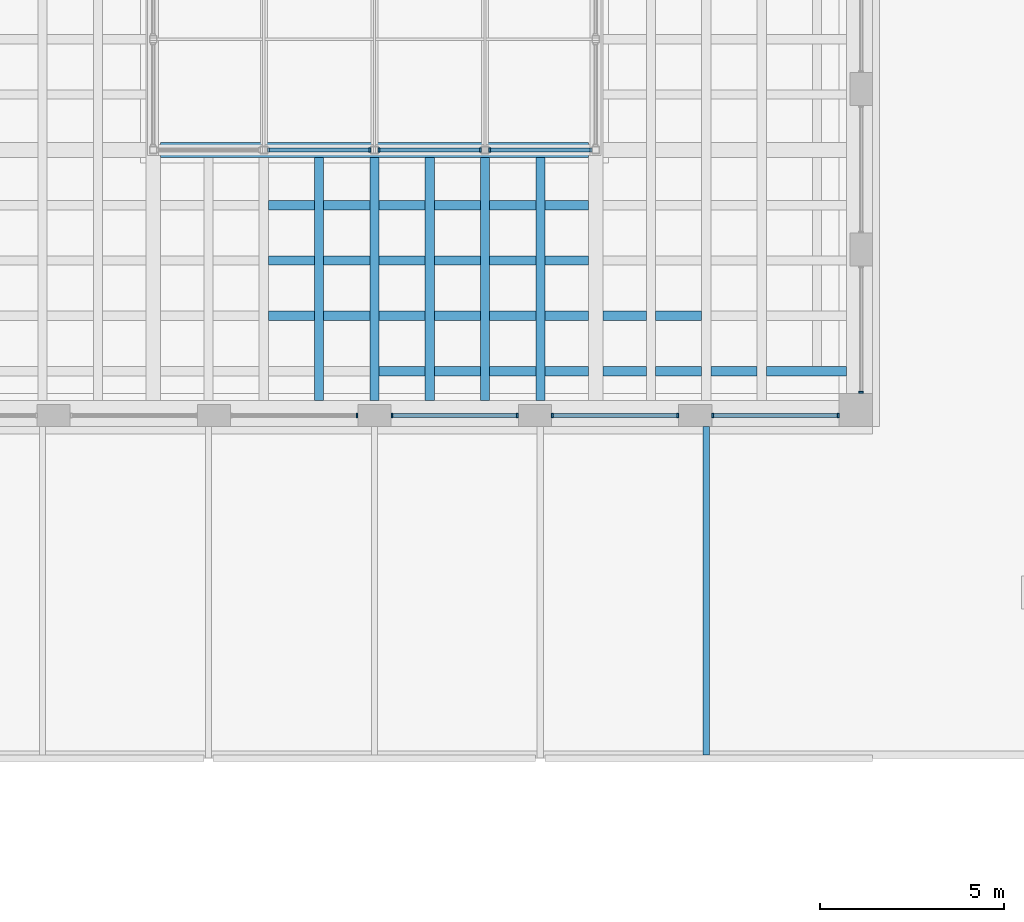
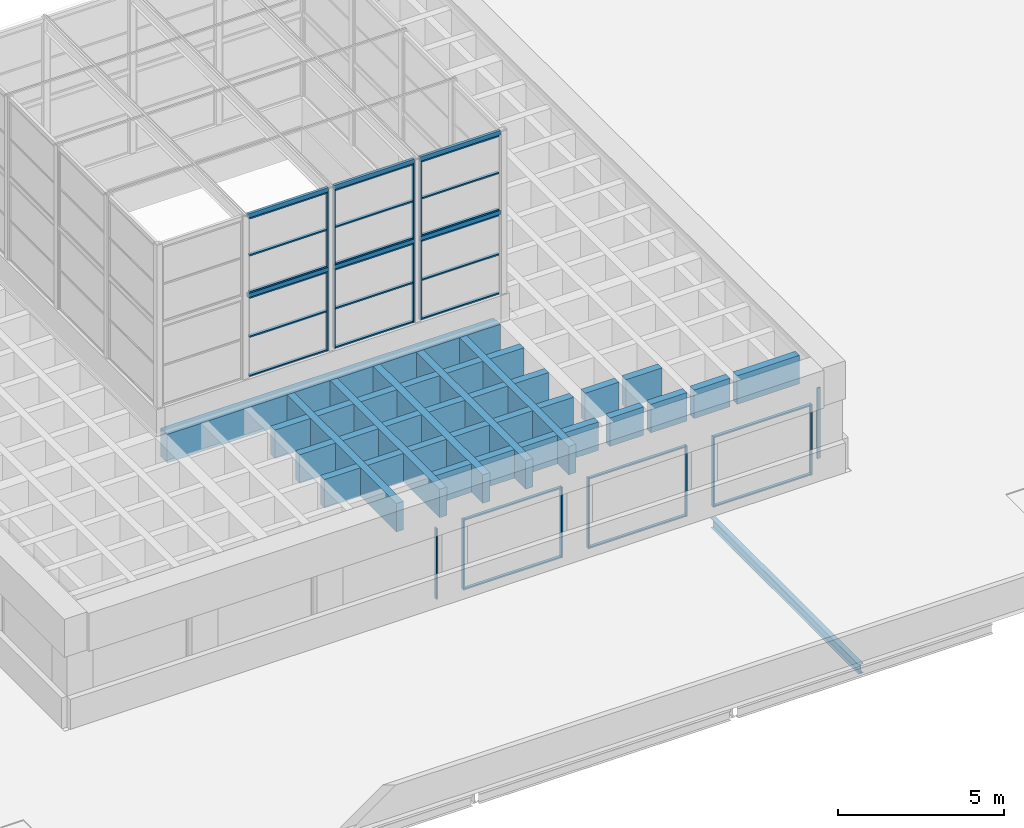
# One storey, part 28 of 50: 41 beams, 40 members, 11 elements without a shape of their own.
"""IFC4 building model written with IfcOpenShell, lengths in metres."""

from ifc_helpers import new_model, si_unit, direction, frame, origin, origin_2d, place, context, subcontext, project, spatial, rectangle, hollow_rectangle, i_section, extrude, material, layer, layer_set, material_profile, profile_set, type_object, element, aggregate, save


model = new_model("IFC4")

# Units and contexts
model_context = context("Model", 3, precision=1e-05, world=origin(), true_north=direction((0.0, 1.0)))
body_context = subcontext(model_context, "Body", "Model", "MODEL_VIEW")
ifc_project = project(units=[si_unit("LENGTHUNIT", "METRE"), si_unit("AREAUNIT", "SQUARE_METRE"), si_unit("VOLUMEUNIT", "CUBIC_METRE"), si_unit("PLANEANGLEUNIT", "RADIAN"), si_unit("MASSUNIT", "GRAM", prefix="KILO")], contexts=[model_context])

# Site, building, storey
site_placement = place(None, origin())
site = spatial("IfcSite", under=ifc_project, at=site_placement, CompositionType="ELEMENT")
building_placement = place(site_placement, origin())
building = spatial("IfcBuilding", under=site, at=building_placement, Name="Corbel Yard City Hall", CompositionType="ELEMENT")
storey_placement = place(building_placement, frame((0.0, 0.0, 15.0)))
storey = spatial("IfcBuildingStorey", under=building, at=storey_placement, Name="L03", CompositionType="ELEMENT", Elevation=15.0)

# Beams
ifc_material_1 = material(Name="Concrete N50 (50 MPa)", Category="concrete")
ifc_material_profile_1 = material_profile(ifc_material_1, rectangle(XDim=0.25, YDim=1.050048828125, at=origin_2d()), Name="250x1050")
ifc_profile_set_1 = profile_set([ifc_material_profile_1], Name="Concrete N50 (50 MPa)")
beam_type_1 = type_object("IfcBeamType", Name="Coffer bay rib RC 250X1050", PredefinedType="T_BEAM", material=ifc_profile_set_1)
for number, where, z_axis, x_axis, name in (
    (1, (129.0, 54.699951171875, 3.125), (0.0, 1.0, 0.0), (-1.0, 0.0, 0.0), "Coffer bay rib RB5"),
    (2, (130.5, 54.699951171875, 3.125), (0.0, 1.0, 0.0), (-1.0, 0.0, 0.0), "Coffer bay rib RB5"),
    (3, (132.0, 54.699951171875, 3.125), (0.0, 1.0, 0.0), (-1.0, 0.0, 0.0), "Coffer bay rib RB5"),
    (4, (133.5, 54.699951171875, 3.125), (0.0, 1.0, 0.0), (-1.0, 0.0, 0.0), "Coffer bay rib RB5"),
    (5, (135.0, 54.699951171875, 3.125), (0.0, 1.0, 0.0), (-1.0, 0.0, 0.0), "Coffer bay rib RB5"),
):
    element("IfcBeam", number, at=place(storey_placement, frame(where, z_axis=z_axis, x_axis=x_axis)), inside=storey, type_object=beam_type_1, Name=name, PredefinedType="T_BEAM", context=body_context, shape_type="SweptSolid", body=[
        extrude(rectangle(XDim=0.25, YDim=1.050048828125, at=origin_2d()), origin(), (0.0, 0.0, 1.0), 6.60009765625),
    ])
ifc_material_profile_2 = material_profile(ifc_material_1, rectangle(XDim=0.25, YDim=1.050048828125, at=origin_2d()), Name="250x1050")
ifc_profile_set_2 = profile_set([ifc_material_profile_2], Name="Concrete N50 (50 MPa)")
beam_type_2 = type_object("IfcBeamType", Name="Coffer cross rib RC 250X1050", PredefinedType="T_BEAM", material=ifc_profile_set_2)
for number, where, z_axis, x_axis, name in (
    (6, (130.625, 55.5, 3.125), (1.0, 0.0, 0.0), (0.0, 1.0, 0.0), "Coffer cross rib RB3"),
    (7, (132.125, 55.5, 3.125), (1.0, 0.0, 0.0), (0.0, 1.0, 0.0), "Coffer cross rib RB3"),
    (8, (133.625, 55.5, 3.125), (1.0, 0.0, 0.0), (0.0, 1.0, 0.0), "Coffer cross rib RB3"),
):
    element("IfcBeam", number, at=place(storey_placement, frame(where, z_axis=z_axis, x_axis=x_axis)), inside=storey, type_object=beam_type_2, Name=name, PredefinedType="T_BEAM", context=body_context, shape_type="SweptSolid", body=[
        extrude(rectangle(XDim=0.25, YDim=1.050048828125, at=origin_2d()), origin(), (0.0, 0.0, 1.0), 1.25),
    ])
for number, where, z_axis, x_axis, name in (
    (9, (135.125, 55.5, 3.125), (1.0, 0.0, 0.0), (0.0, 1.0, 0.0), "Coffer cross rib RB3"),
    (10, (136.699951171875, 55.5, 3.125), (1.0, 0.0, 0.0), (0.0, 1.0, 0.0), "Coffer cross rib RB3"),
):
    element("IfcBeam", number, at=place(storey_placement, frame(where, z_axis=z_axis, x_axis=x_axis)), inside=storey, type_object=beam_type_2, Name=name, PredefinedType="T_BEAM", context=body_context, shape_type="SweptSolid", body=[
        extrude(rectangle(XDim=0.25, YDim=1.050048828125, at=origin_2d()), origin(), (0.0, 0.0, 1.0), 1.175048828125),
    ])
for number, where, z_axis, x_axis, name in (
    (11, (138.125, 55.5, 3.125), (1.0, 0.0, 0.0), (0.0, 1.0, 0.0), "Coffer cross rib RB3"),
    (12, (139.625, 55.5, 3.125), (1.0, 0.0, 0.0), (0.0, 1.0, 0.0), "Coffer cross rib RB3"),
):
    element("IfcBeam", number, at=place(storey_placement, frame(where, z_axis=z_axis, x_axis=x_axis)), inside=storey, type_object=beam_type_2, Name=name, PredefinedType="T_BEAM", context=body_context, shape_type="SweptSolid", body=[
        extrude(rectangle(XDim=0.25, YDim=1.050048828125, at=origin_2d()), origin(), (0.0, 0.0, 1.0), 1.25),
    ])
beam_1_placement = place(storey_placement, frame((141.125, 55.5, 3.125), z_axis=(1.0, 0.0, 0.0), x_axis=(0.0, 1.0, 0.0)))
element("IfcBeam", 13, at=beam_1_placement, inside=storey, type_object=beam_type_2, Name="Coffer cross rib RB3", PredefinedType="T_BEAM", context=body_context, shape_type="SweptSolid", body=[
    extrude(rectangle(XDim=0.25, YDim=1.050048828125, at=origin_2d()), origin(), (0.0, 0.0, 1.0), 2.175048828125),
])
for number, where, z_axis, x_axis, name in (
    (14, (127.625, 57.0, 3.125), (1.0, 0.0, 0.0), (0.0, 1.0, 0.0), "Coffer cross rib RB3"),
    (15, (129.125, 57.0, 3.125), (1.0, 0.0, 0.0), (0.0, 1.0, 0.0), "Coffer cross rib RB3"),
    (16, (130.625, 57.0, 3.125), (1.0, 0.0, 0.0), (0.0, 1.0, 0.0), "Coffer cross rib RB3"),
    (17, (132.125, 57.0, 3.125), (1.0, 0.0, 0.0), (0.0, 1.0, 0.0), "Coffer cross rib RB3"),
    (18, (133.625, 57.0, 3.125), (1.0, 0.0, 0.0), (0.0, 1.0, 0.0), "Coffer cross rib RB3"),
):
    element("IfcBeam", number, at=place(storey_placement, frame(where, z_axis=z_axis, x_axis=x_axis)), inside=storey, type_object=beam_type_2, Name=name, PredefinedType="T_BEAM", context=body_context, shape_type="SweptSolid", body=[
        extrude(rectangle(XDim=0.25, YDim=1.050048828125, at=origin_2d()), origin(), (0.0, 0.0, 1.0), 1.25),
    ])
for number, where, z_axis, x_axis, name in (
    (19, (135.125, 57.0, 3.125), (1.0, 0.0, 0.0), (0.0, 1.0, 0.0), "Coffer cross rib RB3"),
    (20, (136.699951171875, 57.0, 3.125), (1.0, 0.0, 0.0), (0.0, 1.0, 0.0), "Coffer cross rib RB3"),
):
    element("IfcBeam", number, at=place(storey_placement, frame(where, z_axis=z_axis, x_axis=x_axis)), inside=storey, type_object=beam_type_2, Name=name, PredefinedType="T_BEAM", context=body_context, shape_type="SweptSolid", body=[
        extrude(rectangle(XDim=0.25, YDim=1.050048828125, at=origin_2d()), origin(), (0.0, 0.0, 1.0), 1.175048828125),
    ])
for number, where, z_axis, x_axis, name in (
    (21, (138.125, 57.0, 3.125), (1.0, 0.0, 0.0), (0.0, 1.0, 0.0), "Coffer cross rib RB3"),
    (22, (127.625, 58.5, 3.125), (1.0, 0.0, 0.0), (0.0, 1.0, 0.0), "Coffer cross rib RB3"),
    (23, (129.125, 58.5, 3.125), (1.0, 0.0, 0.0), (0.0, 1.0, 0.0), "Coffer cross rib RB3"),
    (24, (130.625, 58.5, 3.125), (1.0, 0.0, 0.0), (0.0, 1.0, 0.0), "Coffer cross rib RB3"),
    (25, (132.125, 58.5, 3.125), (1.0, 0.0, 0.0), (0.0, 1.0, 0.0), "Coffer cross rib RB3"),
    (26, (133.625, 58.5, 3.125), (1.0, 0.0, 0.0), (0.0, 1.0, 0.0), "Coffer cross rib RB3"),
):
    element("IfcBeam", number, at=place(storey_placement, frame(where, z_axis=z_axis, x_axis=x_axis)), inside=storey, type_object=beam_type_2, Name=name, PredefinedType="T_BEAM", context=body_context, shape_type="SweptSolid", body=[
        extrude(rectangle(XDim=0.25, YDim=1.050048828125, at=origin_2d()), origin(), (0.0, 0.0, 1.0), 1.25),
    ])
beam_2_placement = place(storey_placement, frame((135.125, 58.5, 3.125), z_axis=(1.0, 0.0, 0.0), x_axis=(0.0, 1.0, 0.0)))
element("IfcBeam", 27, at=beam_2_placement, inside=storey, type_object=beam_type_2, Name="Coffer cross rib RB3", PredefinedType="T_BEAM", context=body_context, shape_type="SweptSolid", body=[
    extrude(rectangle(XDim=0.25, YDim=1.050048828125, at=origin_2d()), origin(), (0.0, 0.0, 1.0), 1.175048828125),
])
for number, where, z_axis, x_axis, name in (
    (28, (127.625, 60.0, 3.125), (1.0, 0.0, 0.0), (0.0, 1.0, 0.0), "Coffer cross rib RB3"),
    (29, (129.125, 60.0, 3.125), (1.0, 0.0, 0.0), (0.0, 1.0, 0.0), "Coffer cross rib RB3"),
    (30, (130.625, 60.0, 3.125), (1.0, 0.0, 0.0), (0.0, 1.0, 0.0), "Coffer cross rib RB3"),
    (31, (132.125, 60.0, 3.125), (1.0, 0.0, 0.0), (0.0, 1.0, 0.0), "Coffer cross rib RB3"),
    (32, (133.625, 60.0, 3.125), (1.0, 0.0, 0.0), (0.0, 1.0, 0.0), "Coffer cross rib RB3"),
):
    element("IfcBeam", number, at=place(storey_placement, frame(where, z_axis=z_axis, x_axis=x_axis)), inside=storey, type_object=beam_type_2, Name=name, PredefinedType="T_BEAM", context=body_context, shape_type="SweptSolid", body=[
        extrude(rectangle(XDim=0.25, YDim=1.050048828125, at=origin_2d()), origin(), (0.0, 0.0, 1.0), 1.25),
    ])
beam_3_placement = place(storey_placement, frame((135.125, 60.0, 3.125), z_axis=(1.0, 0.0, 0.0), x_axis=(0.0, 1.0, 0.0)))
element("IfcBeam", 33, at=beam_3_placement, inside=storey, type_object=beam_type_2, Name="Coffer cross rib RB3", PredefinedType="T_BEAM", context=body_context, shape_type="SweptSolid", body=[
    extrude(rectangle(XDim=0.25, YDim=1.050048828125, at=origin_2d()), origin(), (0.0, 0.0, 1.0), 1.175048828125),
])
ifc_material_2 = material(Name="Steel Grade C450L0", Category="steel")
ifc_material_profile_3 = material_profile(ifc_material_2, hollow_rectangle(XDim=0.10009765625, YDim=0.14990234375, WallThickness=0.006103515625, at=origin_2d()), Name="150x100x6.0RHS")
ifc_profile_set_3 = profile_set([ifc_material_profile_3], Name="Steel Grade C450L0")
beam_type_3 = type_object("IfcBeamType", Name="Lantern frame beam 150x100x6.0RHS", PredefinedType="BEAM", material=ifc_profile_set_3)
for number, where, z_axis, x_axis, name in (
    (34, (127.60009765625, 61.5, 10.574951171875), (1.0, 0.0, 0.0), (0.0, 1.0, 0.0), "Lantern frame beam 150x100x6.0RHS SB22"),
    (35, (130.60009765625, 61.5, 10.574951171875), (1.0, 0.0, 0.0), (0.0, 1.0, 0.0), "Lantern frame beam 150x100x6.0RHS SB22"),
    (36, (133.60009765625, 61.5, 10.574951171875), (1.0, 0.0, 0.0), (0.0, 1.0, 0.0), "Lantern frame beam 150x100x6.0RHS SB22"),
    (37, (127.60009765625, 61.5, 7.64990234375), (1.0, 0.0, 0.0), (0.0, 1.0, 0.0), "Lantern frame beam 150x100x6.0RHS SB22"),
    (38, (130.60009765625, 61.5, 7.64990234375), (1.0, 0.0, 0.0), (0.0, 1.0, 0.0), "Lantern frame beam 150x100x6.0RHS SB22"),
    (39, (133.60009765625, 61.5, 7.64990234375), (1.0, 0.0, 0.0), (0.0, 1.0, 0.0), "Lantern frame beam 150x100x6.0RHS SB22"),
):
    element("IfcBeam", number, at=place(storey_placement, frame(where, z_axis=z_axis, x_axis=x_axis)), inside=storey, type_object=beam_type_3, Name=name, PredefinedType="BEAM", context=body_context, shape_type="SweptSolid", body=[
        extrude(hollow_rectangle(XDim=0.10009765625, YDim=0.14990234375, WallThickness=0.006103515625, at=origin_2d()), origin(), (0.0, 0.0, 1.0), 2.7998046875),
    ])
ifc_material_profile_4 = material_profile(ifc_material_1, rectangle(XDim=0.39990234375, YDim=1.050048828125, at=origin_2d()), Name="400x1050")
ifc_profile_set_4 = profile_set([ifc_material_profile_4], Name="Concrete N50 (50 MPa)")
beam_type_4 = type_object("IfcBeamType", Name="Lantern trimmer bay rib RC 400X1050", PredefinedType="BEAM", material=ifc_profile_set_4)
beam_4_placement = place(storey_placement, frame((124.699951171875, 61.5, 3.125), z_axis=(1.0, 0.0, 0.0), x_axis=(0.0, 1.0, 0.0)))
element("IfcBeam", 40, at=beam_4_placement, inside=storey, type_object=beam_type_4, Name="Lantern trimmer bay rib RB6", PredefinedType="BEAM", context=body_context, shape_type="SweptSolid", body=[
    extrude(rectangle(XDim=0.39990234375, YDim=1.050048828125, at=origin_2d()), origin(), (0.0, 0.0, 1.0), 11.60009765625),
])

# Curtain wall, member
ifc_material_3 = material(Name="Aluminium extrusion", Category="aluminium")
ifc_layer = layer(ifc_material_3, 0.1201171875)
ifc_layer_set = layer_set([ifc_layer], Name="Aluminium extrusion")
curtain_wall_type = type_object("IfcCurtainWallType", Name="CW3", PredefinedType="USERDEFINED", material=ifc_layer_set)
curtain_wall_1_placement = place(storey_placement, origin())
curtain_wall_1 = element("IfcCurtainWall", 41, at=curtain_wall_1_placement, inside=storey, type_object=curtain_wall_type, Name="Lantern glazing", ObjectType="CURTAIN WALL", PredefinedType="USERDEFINED")
ifc_material_profile_5 = material_profile(ifc_material_3, rectangle(XDim=0.1201171875, YDim=0.050048828125, at=origin_2d()), Name="120x50")
ifc_profile_set_5 = profile_set([ifc_material_profile_5], Name="Aluminium extrusion")
member_type_1 = type_object("IfcMemberType", Name="ML3", PredefinedType="MULLION", material=ifc_profile_set_5)
member_1_placement = place(storey_placement, frame((130.375, 61.5, 4.64990234375), z_axis=(0.0, 0.0, 1.0), x_axis=(0.0, 1.0, 0.0)))
member_1 = element("IfcMember", 42, at=member_1_placement, type_object=member_type_1, Name="CW3 mullion 2", PredefinedType="MULLION", context=body_context, shape_type="SweptSolid", body=[
    extrude(rectangle(XDim=0.1201171875, YDim=0.050048828125, at=origin_2d()), origin(), (0.0, 0.0, 1.0), 2.925048828125),
])

# Curtain wall, members
curtain_wall_2_placement = place(storey_placement, origin())
curtain_wall_2 = element("IfcCurtainWall", 43, at=curtain_wall_2_placement, inside=storey, type_object=curtain_wall_type, Name="Lantern glazing", ObjectType="CURTAIN WALL", PredefinedType="USERDEFINED")
member_2_placement = place(storey_placement, frame((130.625, 61.5, 4.64990234375), z_axis=(0.0, 0.0, 1.0), x_axis=(0.0, 1.0, 0.0)))
member_2 = element("IfcMember", 44, at=member_2_placement, type_object=member_type_1, Name="CW3 mullion 1", PredefinedType="MULLION", context=body_context, shape_type="SweptSolid", body=[
    extrude(rectangle(XDim=0.1201171875, YDim=0.050048828125, at=origin_2d()), origin(), (0.0, 0.0, 1.0), 2.925048828125),
])
member_3_placement = place(storey_placement, frame((133.375, 61.5, 4.64990234375), z_axis=(0.0, 0.0, 1.0), x_axis=(0.0, 1.0, 0.0)))
member_3 = element("IfcMember", 45, at=member_3_placement, type_object=member_type_1, Name="CW3 mullion 2", PredefinedType="MULLION", context=body_context, shape_type="SweptSolid", body=[
    extrude(rectangle(XDim=0.1201171875, YDim=0.050048828125, at=origin_2d()), origin(), (0.0, 0.0, 1.0), 2.925048828125),
])

# Curtain wall, member
curtain_wall_3_placement = place(storey_placement, origin())
curtain_wall_3 = element("IfcCurtainWall", 46, at=curtain_wall_3_placement, inside=storey, type_object=curtain_wall_type, Name="Lantern glazing", ObjectType="CURTAIN WALL", PredefinedType="USERDEFINED")
member_4_placement = place(storey_placement, frame((133.625, 61.5, 4.64990234375), z_axis=(0.0, 0.0, 1.0), x_axis=(0.0, 1.0, 0.0)))
member_4 = element("IfcMember", 47, at=member_4_placement, type_object=member_type_1, Name="CW3 mullion 1", PredefinedType="MULLION", context=body_context, shape_type="SweptSolid", body=[
    extrude(rectangle(XDim=0.1201171875, YDim=0.050048828125, at=origin_2d()), origin(), (0.0, 0.0, 1.0), 2.925048828125),
])

curtain_wall_4_placement = place(storey_placement, origin())
curtain_wall_4 = element("IfcCurtainWall", 48, at=curtain_wall_4_placement, inside=storey, type_object=curtain_wall_type, Name="Lantern glazing", ObjectType="CURTAIN WALL", PredefinedType="USERDEFINED")
member_5_placement = place(storey_placement, frame((130.375, 61.5, 7.72509765625), z_axis=(0.0, 0.0, 1.0), x_axis=(0.0, 1.0, 0.0)))
member_5 = element("IfcMember", 49, at=member_5_placement, type_object=member_type_1, Name="CW3 mullion 2", PredefinedType="MULLION", context=body_context, shape_type="SweptSolid", body=[
    extrude(rectangle(XDim=0.1201171875, YDim=0.050048828125, at=origin_2d()), origin(), (0.0, 0.0, 1.0), 2.77490234375),
])

# Curtain wall, members
curtain_wall_5_placement = place(storey_placement, origin())
curtain_wall_5 = element("IfcCurtainWall", 50, at=curtain_wall_5_placement, inside=storey, type_object=curtain_wall_type, Name="Lantern glazing", ObjectType="CURTAIN WALL", PredefinedType="USERDEFINED")
member_6_placement = place(storey_placement, frame((130.625, 61.5, 7.72509765625), z_axis=(0.0, 0.0, 1.0), x_axis=(0.0, 1.0, 0.0)))
member_6 = element("IfcMember", 51, at=member_6_placement, type_object=member_type_1, Name="CW3 mullion 1", PredefinedType="MULLION", context=body_context, shape_type="SweptSolid", body=[
    extrude(rectangle(XDim=0.1201171875, YDim=0.050048828125, at=origin_2d()), origin(), (0.0, 0.0, 1.0), 2.77490234375),
])
member_7_placement = place(storey_placement, frame((133.375, 61.5, 7.72509765625), z_axis=(0.0, 0.0, 1.0), x_axis=(0.0, 1.0, 0.0)))
member_7 = element("IfcMember", 52, at=member_7_placement, type_object=member_type_1, Name="CW3 mullion 2", PredefinedType="MULLION", context=body_context, shape_type="SweptSolid", body=[
    extrude(rectangle(XDim=0.1201171875, YDim=0.050048828125, at=origin_2d()), origin(), (0.0, 0.0, 1.0), 2.77490234375),
])

# Curtain wall, member
curtain_wall_6_placement = place(storey_placement, origin())
curtain_wall_6 = element("IfcCurtainWall", 53, at=curtain_wall_6_placement, inside=storey, type_object=curtain_wall_type, Name="Lantern glazing", ObjectType="CURTAIN WALL", PredefinedType="USERDEFINED")
member_8_placement = place(storey_placement, frame((133.625, 61.5, 7.72509765625), z_axis=(0.0, 0.0, 1.0), x_axis=(0.0, 1.0, 0.0)))
member_8 = element("IfcMember", 54, at=member_8_placement, type_object=member_type_1, Name="CW3 mullion 1", PredefinedType="MULLION", context=body_context, shape_type="SweptSolid", body=[
    extrude(rectangle(XDim=0.1201171875, YDim=0.050048828125, at=origin_2d()), origin(), (0.0, 0.0, 1.0), 2.77490234375),
])

curtain_wall_7_placement = place(storey_placement, origin())
curtain_wall_7 = element("IfcCurtainWall", 55, at=curtain_wall_7_placement, inside=storey, type_object=curtain_wall_type, Name="Chamber clerestory glazing", ObjectType="CURTAIN WALL", PredefinedType="USERDEFINED")
member_9_placement = place(storey_placement, frame((130.02490234375, 54.300048828125, 0.0), z_axis=(0.0, 0.0, 1.0), x_axis=(0.0, 1.0, 0.0)))
member_9 = element("IfcMember", 56, at=member_9_placement, type_object=member_type_1, Name="CW3 mullion 2", PredefinedType="MULLION", context=body_context, shape_type="SweptSolid", body=[
    extrude(rectangle(XDim=0.1201171875, YDim=0.050048828125, at=origin_2d()), origin(), (0.0, 0.0, 1.0), 2.60009765625),
])
aggregate(curtain_wall_7, [member_9])

# Curtain wall, members
curtain_wall_8_placement = place(storey_placement, origin())
curtain_wall_8 = element("IfcCurtainWall", 57, at=curtain_wall_8_placement, inside=storey, type_object=curtain_wall_type, Name="Chamber clerestory glazing", ObjectType="CURTAIN WALL", PredefinedType="USERDEFINED")
member_10_placement = place(storey_placement, frame((130.97509765625, 54.300048828125, 0.0), z_axis=(0.0, 0.0, 1.0), x_axis=(0.0, 1.0, 0.0)))
member_10 = element("IfcMember", 58, at=member_10_placement, type_object=member_type_1, Name="CW3 mullion 1", PredefinedType="MULLION", context=body_context, shape_type="SweptSolid", body=[
    extrude(rectangle(XDim=0.1201171875, YDim=0.050048828125, at=origin_2d()), origin(), (0.0, 0.0, 1.0), 2.60009765625),
])
member_11_placement = place(storey_placement, frame((134.375, 54.300048828125, 0.0), z_axis=(0.0, 0.0, 1.0), x_axis=(0.0, 1.0, 0.0)))
member_11 = element("IfcMember", 59, at=member_11_placement, type_object=member_type_1, Name="CW3 mullion 2", PredefinedType="MULLION", context=body_context, shape_type="SweptSolid", body=[
    extrude(rectangle(XDim=0.1201171875, YDim=0.050048828125, at=origin_2d()), origin(), (0.0, 0.0, 1.0), 2.60009765625),
])

curtain_wall_9_placement = place(storey_placement, origin())
curtain_wall_9 = element("IfcCurtainWall", 60, at=curtain_wall_9_placement, inside=storey, type_object=curtain_wall_type, Name="Chamber clerestory glazing", ObjectType="CURTAIN WALL", PredefinedType="USERDEFINED")
member_12_placement = place(storey_placement, frame((135.324951171875, 54.300048828125, 0.0), z_axis=(0.0, 0.0, 1.0), x_axis=(0.0, 1.0, 0.0)))
member_12 = element("IfcMember", 61, at=member_12_placement, type_object=member_type_1, Name="CW3 mullion 1", PredefinedType="MULLION", context=body_context, shape_type="SweptSolid", body=[
    extrude(rectangle(XDim=0.1201171875, YDim=0.050048828125, at=origin_2d()), origin(), (0.0, 0.0, 1.0), 2.60009765625),
])
member_13_placement = place(storey_placement, frame((138.72509765625, 54.300048828125, 0.0), z_axis=(0.0, 0.0, 1.0), x_axis=(0.0, 1.0, 0.0)))
member_13 = element("IfcMember", 62, at=member_13_placement, type_object=member_type_1, Name="CW3 mullion 2", PredefinedType="MULLION", context=body_context, shape_type="SweptSolid", body=[
    extrude(rectangle(XDim=0.1201171875, YDim=0.050048828125, at=origin_2d()), origin(), (0.0, 0.0, 1.0), 2.60009765625),
])

curtain_wall_10_placement = place(storey_placement, origin())
curtain_wall_10 = element("IfcCurtainWall", 63, at=curtain_wall_10_placement, inside=storey, type_object=curtain_wall_type, Name="Chamber clerestory glazing", ObjectType="CURTAIN WALL", PredefinedType="USERDEFINED")
member_14_placement = place(storey_placement, frame((139.675048828125, 54.300048828125, 0.0), z_axis=(0.0, 0.0, 1.0), x_axis=(0.0, 1.0, 0.0)))
member_14 = element("IfcMember", 64, at=member_14_placement, type_object=member_type_1, Name="CW3 mullion 1", PredefinedType="MULLION", context=body_context, shape_type="SweptSolid", body=[
    extrude(rectangle(XDim=0.1201171875, YDim=0.050048828125, at=origin_2d()), origin(), (0.0, 0.0, 1.0), 2.60009765625),
])
member_15_placement = place(storey_placement, frame((143.074951171875, 54.300048828125, 0.0), z_axis=(0.0, 0.0, 1.0), x_axis=(0.0, 1.0, 0.0)))
member_15 = element("IfcMember", 65, at=member_15_placement, type_object=member_type_1, Name="CW3 mullion 2", PredefinedType="MULLION", context=body_context, shape_type="SweptSolid", body=[
    extrude(rectangle(XDim=0.1201171875, YDim=0.050048828125, at=origin_2d()), origin(), (0.0, 0.0, 1.0), 2.60009765625),
])

# Curtain wall, member
curtain_wall_11_placement = place(storey_placement, origin())
curtain_wall_11 = element("IfcCurtainWall", 66, at=curtain_wall_11_placement, inside=storey, type_object=curtain_wall_type, Name="Chamber clerestory glazing", ObjectType="CURTAIN WALL", PredefinedType="USERDEFINED")
member_16_placement = place(storey_placement, frame((143.699951171875, 54.925048828125, 0.0), z_axis=(0.0, 0.0, 1.0), x_axis=(-1.0, 0.0, 0.0)))
member_16 = element("IfcMember", 67, at=member_16_placement, type_object=member_type_1, Name="CW3 mullion 1", PredefinedType="MULLION", context=body_context, shape_type="SweptSolid", body=[
    extrude(rectangle(XDim=0.1201171875, YDim=0.050048828125, at=origin_2d()), origin(), (0.0, 0.0, 1.0), 2.60009765625),
])
aggregate(curtain_wall_11, [member_16])

# Beam
ifc_material_4 = material(Name="Steel Grade 300 (300 MPa yield)", Category="steel")
ifc_material_profile_6 = material_profile(ifc_material_4, i_section(OverallWidth=0.1708984375, OverallDepth=0.35205078125, WebThickness=0.0068359375, FlangeThickness=0.009765625, at=origin_2d()), Name="360UB44.7")
ifc_profile_set_6 = profile_set([ifc_material_profile_6], Name="Steel Grade 300 (300 MPa yield)")
beam_type_5 = type_object("IfcBeamType", Name="Secondary beam 360UB44.7", PredefinedType="JOIST", material=ifc_profile_set_6)
beam_5_placement = place(storey_placement, frame((139.5, 45.0859375, -0.325927734375), z_axis=(0.0, 1.0, 0.0), x_axis=(-1.0, 0.0, 0.0)))
element("IfcBeam", 68, at=beam_5_placement, inside=storey, type_object=beam_type_5, Name="Secondary beam 360UB44.7 SB11 L03roof", PredefinedType="JOIST", context=body_context, shape_type="SweptSolid", body=[
    extrude(i_section(OverallWidth=0.1708984375, OverallDepth=0.35205078125, WebThickness=0.0068359375, FlangeThickness=0.009765625, at=origin_2d()), origin(), (0.0, 0.0, 1.0), 8.9140625),
])

# Member
ifc_material_profile_7 = material_profile(ifc_material_3, rectangle(XDim=0.10009765625, YDim=0.050048828125, at=origin_2d()), Name="100x50")
ifc_profile_set_7 = profile_set([ifc_material_profile_7], Name="Aluminium extrusion")
member_type_2 = type_object("IfcMemberType", Name="TR3", PredefinedType="USERDEFINED", material=ifc_profile_set_7)
member_17_placement = place(storey_placement, frame((127.64990234375, 61.5, 4.675048828125), z_axis=(1.0, 0.0, 0.0), x_axis=(0.0, 1.0, 0.0)))
member_17 = element("IfcMember", 69, at=member_17_placement, type_object=member_type_2, Name="CW3 transom 1.1", ObjectType="TRANSOM", PredefinedType="USERDEFINED", context=body_context, shape_type="SweptSolid", body=[
    extrude(rectangle(XDim=0.10009765625, YDim=0.050048828125, at=origin_2d()), origin(), (0.0, 0.0, 1.0), 2.7001953125),
])

member_18_placement = place(storey_placement, frame((127.64990234375, 61.5, 6.112548828125), z_axis=(1.0, 0.0, 0.0), x_axis=(0.0, 1.0, 0.0)))
member_18 = element("IfcMember", 70, at=member_18_placement, type_object=member_type_2, Name="CW3 transom 1.2", ObjectType="TRANSOM", PredefinedType="USERDEFINED", context=body_context, shape_type="SweptSolid", body=[
    extrude(rectangle(XDim=0.10009765625, YDim=0.050048828125, at=origin_2d()), origin(), (0.0, 0.0, 1.0), 2.7001953125),
])

member_19_placement = place(storey_placement, frame((127.64990234375, 61.5, 7.550048828125), z_axis=(1.0, 0.0, 0.0), x_axis=(0.0, 1.0, 0.0)))
member_19 = element("IfcMember", 71, at=member_19_placement, type_object=member_type_2, Name="CW3 transom 1.3", ObjectType="TRANSOM", PredefinedType="USERDEFINED", context=body_context, shape_type="SweptSolid", body=[
    extrude(rectangle(XDim=0.10009765625, YDim=0.050048828125, at=origin_2d()), origin(), (0.0, 0.0, 1.0), 2.7001953125),
])

aggregate(curtain_wall_1, [member_1, member_17, member_18, member_19])

member_20_placement = place(storey_placement, frame((130.64990234375, 61.5, 4.675048828125), z_axis=(1.0, 0.0, 0.0), x_axis=(0.0, 1.0, 0.0)))
member_20 = element("IfcMember", 72, at=member_20_placement, type_object=member_type_2, Name="CW3 transom 1.1", ObjectType="TRANSOM", PredefinedType="USERDEFINED", context=body_context, shape_type="SweptSolid", body=[
    extrude(rectangle(XDim=0.10009765625, YDim=0.050048828125, at=origin_2d()), origin(), (0.0, 0.0, 1.0), 2.7001953125),
])

member_21_placement = place(storey_placement, frame((130.64990234375, 61.5, 6.112548828125), z_axis=(1.0, 0.0, 0.0), x_axis=(0.0, 1.0, 0.0)))
member_21 = element("IfcMember", 73, at=member_21_placement, type_object=member_type_2, Name="CW3 transom 1.2", ObjectType="TRANSOM", PredefinedType="USERDEFINED", context=body_context, shape_type="SweptSolid", body=[
    extrude(rectangle(XDim=0.10009765625, YDim=0.050048828125, at=origin_2d()), origin(), (0.0, 0.0, 1.0), 2.7001953125),
])

member_22_placement = place(storey_placement, frame((130.64990234375, 61.5, 7.550048828125), z_axis=(1.0, 0.0, 0.0), x_axis=(0.0, 1.0, 0.0)))
member_22 = element("IfcMember", 74, at=member_22_placement, type_object=member_type_2, Name="CW3 transom 1.3", ObjectType="TRANSOM", PredefinedType="USERDEFINED", context=body_context, shape_type="SweptSolid", body=[
    extrude(rectangle(XDim=0.10009765625, YDim=0.050048828125, at=origin_2d()), origin(), (0.0, 0.0, 1.0), 2.7001953125),
])

aggregate(curtain_wall_2, [member_2, member_3, member_20, member_21, member_22])

member_23_placement = place(storey_placement, frame((133.64990234375, 61.5, 4.675048828125), z_axis=(1.0, 0.0, 0.0), x_axis=(0.0, 1.0, 0.0)))
member_23 = element("IfcMember", 75, at=member_23_placement, type_object=member_type_2, Name="CW3 transom 1.1", ObjectType="TRANSOM", PredefinedType="USERDEFINED", context=body_context, shape_type="SweptSolid", body=[
    extrude(rectangle(XDim=0.10009765625, YDim=0.050048828125, at=origin_2d()), origin(), (0.0, 0.0, 1.0), 2.7001953125),
])

member_24_placement = place(storey_placement, frame((133.64990234375, 61.5, 6.112548828125), z_axis=(1.0, 0.0, 0.0), x_axis=(0.0, 1.0, 0.0)))
member_24 = element("IfcMember", 76, at=member_24_placement, type_object=member_type_2, Name="CW3 transom 1.2", ObjectType="TRANSOM", PredefinedType="USERDEFINED", context=body_context, shape_type="SweptSolid", body=[
    extrude(rectangle(XDim=0.10009765625, YDim=0.050048828125, at=origin_2d()), origin(), (0.0, 0.0, 1.0), 2.7001953125),
])

member_25_placement = place(storey_placement, frame((133.64990234375, 61.5, 7.550048828125), z_axis=(1.0, 0.0, 0.0), x_axis=(0.0, 1.0, 0.0)))
member_25 = element("IfcMember", 77, at=member_25_placement, type_object=member_type_2, Name="CW3 transom 1.3", ObjectType="TRANSOM", PredefinedType="USERDEFINED", context=body_context, shape_type="SweptSolid", body=[
    extrude(rectangle(XDim=0.10009765625, YDim=0.050048828125, at=origin_2d()), origin(), (0.0, 0.0, 1.0), 2.7001953125),
])

aggregate(curtain_wall_3, [member_4, member_23, member_24, member_25])

member_26_placement = place(storey_placement, frame((127.64990234375, 61.5, 7.75), z_axis=(1.0, 0.0, 0.0), x_axis=(0.0, 1.0, 0.0)))
member_26 = element("IfcMember", 78, at=member_26_placement, type_object=member_type_2, Name="CW3 transom 1.1", ObjectType="TRANSOM", PredefinedType="USERDEFINED", context=body_context, shape_type="SweptSolid", body=[
    extrude(rectangle(XDim=0.10009765625, YDim=0.050048828125, at=origin_2d()), origin(), (0.0, 0.0, 1.0), 2.7001953125),
])

member_27_placement = place(storey_placement, frame((127.64990234375, 61.5, 9.112548828125), z_axis=(1.0, 0.0, 0.0), x_axis=(0.0, 1.0, 0.0)))
member_27 = element("IfcMember", 79, at=member_27_placement, type_object=member_type_2, Name="CW3 transom 1.2", ObjectType="TRANSOM", PredefinedType="USERDEFINED", context=body_context, shape_type="SweptSolid", body=[
    extrude(rectangle(XDim=0.10009765625, YDim=0.050048828125, at=origin_2d()), origin(), (0.0, 0.0, 1.0), 2.7001953125),
])

member_28_placement = place(storey_placement, frame((127.64990234375, 61.5, 10.47509765625), z_axis=(1.0, 0.0, 0.0), x_axis=(0.0, 1.0, 0.0)))
member_28 = element("IfcMember", 80, at=member_28_placement, type_object=member_type_2, Name="CW3 transom 1.3", ObjectType="TRANSOM", PredefinedType="USERDEFINED", context=body_context, shape_type="SweptSolid", body=[
    extrude(rectangle(XDim=0.10009765625, YDim=0.050048828125, at=origin_2d()), origin(), (0.0, 0.0, 1.0), 2.7001953125),
])

aggregate(curtain_wall_4, [member_5, member_26, member_27, member_28])

member_29_placement = place(storey_placement, frame((130.64990234375, 61.5, 7.75), z_axis=(1.0, 0.0, 0.0), x_axis=(0.0, 1.0, 0.0)))
member_29 = element("IfcMember", 81, at=member_29_placement, type_object=member_type_2, Name="CW3 transom 1.1", ObjectType="TRANSOM", PredefinedType="USERDEFINED", context=body_context, shape_type="SweptSolid", body=[
    extrude(rectangle(XDim=0.10009765625, YDim=0.050048828125, at=origin_2d()), origin(), (0.0, 0.0, 1.0), 2.7001953125),
])

member_30_placement = place(storey_placement, frame((130.64990234375, 61.5, 9.112548828125), z_axis=(1.0, 0.0, 0.0), x_axis=(0.0, 1.0, 0.0)))
member_30 = element("IfcMember", 82, at=member_30_placement, type_object=member_type_2, Name="CW3 transom 1.2", ObjectType="TRANSOM", PredefinedType="USERDEFINED", context=body_context, shape_type="SweptSolid", body=[
    extrude(rectangle(XDim=0.10009765625, YDim=0.050048828125, at=origin_2d()), origin(), (0.0, 0.0, 1.0), 2.7001953125),
])

member_31_placement = place(storey_placement, frame((130.64990234375, 61.5, 10.47509765625), z_axis=(1.0, 0.0, 0.0), x_axis=(0.0, 1.0, 0.0)))
member_31 = element("IfcMember", 83, at=member_31_placement, type_object=member_type_2, Name="CW3 transom 1.3", ObjectType="TRANSOM", PredefinedType="USERDEFINED", context=body_context, shape_type="SweptSolid", body=[
    extrude(rectangle(XDim=0.10009765625, YDim=0.050048828125, at=origin_2d()), origin(), (0.0, 0.0, 1.0), 2.7001953125),
])

aggregate(curtain_wall_5, [member_6, member_7, member_29, member_30, member_31])

member_32_placement = place(storey_placement, frame((133.64990234375, 61.5, 7.75), z_axis=(1.0, 0.0, 0.0), x_axis=(0.0, 1.0, 0.0)))
member_32 = element("IfcMember", 84, at=member_32_placement, type_object=member_type_2, Name="CW3 transom 1.1", ObjectType="TRANSOM", PredefinedType="USERDEFINED", context=body_context, shape_type="SweptSolid", body=[
    extrude(rectangle(XDim=0.10009765625, YDim=0.050048828125, at=origin_2d()), origin(), (0.0, 0.0, 1.0), 2.7001953125),
])

member_33_placement = place(storey_placement, frame((133.64990234375, 61.5, 9.112548828125), z_axis=(1.0, 0.0, 0.0), x_axis=(0.0, 1.0, 0.0)))
member_33 = element("IfcMember", 85, at=member_33_placement, type_object=member_type_2, Name="CW3 transom 1.2", ObjectType="TRANSOM", PredefinedType="USERDEFINED", context=body_context, shape_type="SweptSolid", body=[
    extrude(rectangle(XDim=0.10009765625, YDim=0.050048828125, at=origin_2d()), origin(), (0.0, 0.0, 1.0), 2.7001953125),
])

member_34_placement = place(storey_placement, frame((133.64990234375, 61.5, 10.47509765625), z_axis=(1.0, 0.0, 0.0), x_axis=(0.0, 1.0, 0.0)))
member_34 = element("IfcMember", 86, at=member_34_placement, type_object=member_type_2, Name="CW3 transom 1.3", ObjectType="TRANSOM", PredefinedType="USERDEFINED", context=body_context, shape_type="SweptSolid", body=[
    extrude(rectangle(XDim=0.10009765625, YDim=0.050048828125, at=origin_2d()), origin(), (0.0, 0.0, 1.0), 2.7001953125),
])

aggregate(curtain_wall_6, [member_8, member_32, member_33, member_34])

member_35_placement = place(storey_placement, frame((131.0, 54.300048828125, 0.02490234375), z_axis=(1.0, 0.0, 0.0), x_axis=(0.0, 1.0, 0.0)))
member_35 = element("IfcMember", 87, at=member_35_placement, type_object=member_type_2, Name="CW3 transom 1.1", ObjectType="TRANSOM", PredefinedType="USERDEFINED", context=body_context, shape_type="SweptSolid", body=[
    extrude(rectangle(XDim=0.10009765625, YDim=0.050048828125, at=origin_2d()), origin(), (0.0, 0.0, 1.0), 3.35009765625),
])

member_36_placement = place(storey_placement, frame((131.0, 54.300048828125, 2.574951171875), z_axis=(1.0, 0.0, 0.0), x_axis=(0.0, 1.0, 0.0)))
member_36 = element("IfcMember", 88, at=member_36_placement, type_object=member_type_2, Name="CW3 transom 1.2", ObjectType="TRANSOM", PredefinedType="USERDEFINED", context=body_context, shape_type="SweptSolid", body=[
    extrude(rectangle(XDim=0.10009765625, YDim=0.050048828125, at=origin_2d()), origin(), (0.0, 0.0, 1.0), 3.35009765625),
])

aggregate(curtain_wall_8, [member_10, member_11, member_35, member_36])

member_37_placement = place(storey_placement, frame((135.35009765625, 54.300048828125, 0.02490234375), z_axis=(1.0, 0.0, 0.0), x_axis=(0.0, 1.0, 0.0)))
member_37 = element("IfcMember", 89, at=member_37_placement, type_object=member_type_2, Name="CW3 transom 1.1", ObjectType="TRANSOM", PredefinedType="USERDEFINED", context=body_context, shape_type="SweptSolid", body=[
    extrude(rectangle(XDim=0.10009765625, YDim=0.050048828125, at=origin_2d()), origin(), (0.0, 0.0, 1.0), 3.349853515625),
])

member_38_placement = place(storey_placement, frame((135.35009765625, 54.300048828125, 2.574951171875), z_axis=(1.0, 0.0, 0.0), x_axis=(0.0, 1.0, 0.0)))
member_38 = element("IfcMember", 90, at=member_38_placement, type_object=member_type_2, Name="CW3 transom 1.2", ObjectType="TRANSOM", PredefinedType="USERDEFINED", context=body_context, shape_type="SweptSolid", body=[
    extrude(rectangle(XDim=0.10009765625, YDim=0.050048828125, at=origin_2d()), origin(), (0.0, 0.0, 1.0), 3.349853515625),
])

aggregate(curtain_wall_9, [member_12, member_13, member_37, member_38])

member_39_placement = place(storey_placement, frame((139.699951171875, 54.300048828125, 0.02490234375), z_axis=(1.0, 0.0, 0.0), x_axis=(0.0, 1.0, 0.0)))
member_39 = element("IfcMember", 91, at=member_39_placement, type_object=member_type_2, Name="CW3 transom 1.1", ObjectType="TRANSOM", PredefinedType="USERDEFINED", context=body_context, shape_type="SweptSolid", body=[
    extrude(rectangle(XDim=0.10009765625, YDim=0.050048828125, at=origin_2d()), origin(), (0.0, 0.0, 1.0), 3.35009765625),
])

member_40_placement = place(storey_placement, frame((139.699951171875, 54.300048828125, 2.574951171875), z_axis=(1.0, 0.0, 0.0), x_axis=(0.0, 1.0, 0.0)))
member_40 = element("IfcMember", 92, at=member_40_placement, type_object=member_type_2, Name="CW3 transom 1.2", ObjectType="TRANSOM", PredefinedType="USERDEFINED", context=body_context, shape_type="SweptSolid", body=[
    extrude(rectangle(XDim=0.10009765625, YDim=0.050048828125, at=origin_2d()), origin(), (0.0, 0.0, 1.0), 3.35009765625),
])

aggregate(curtain_wall_10, [member_14, member_15, member_39, member_40])

save(model, "model.ifc")
